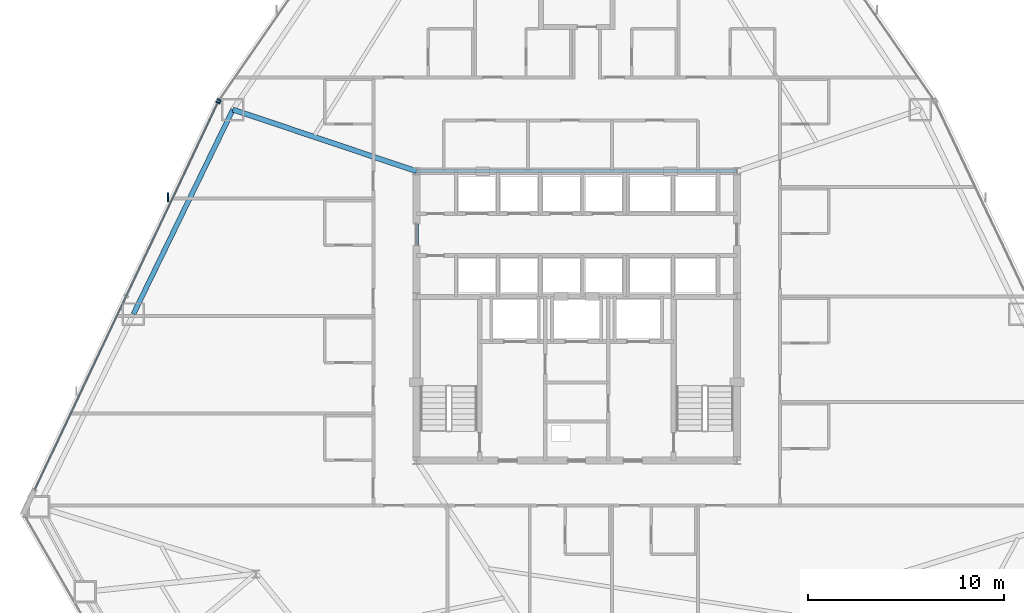
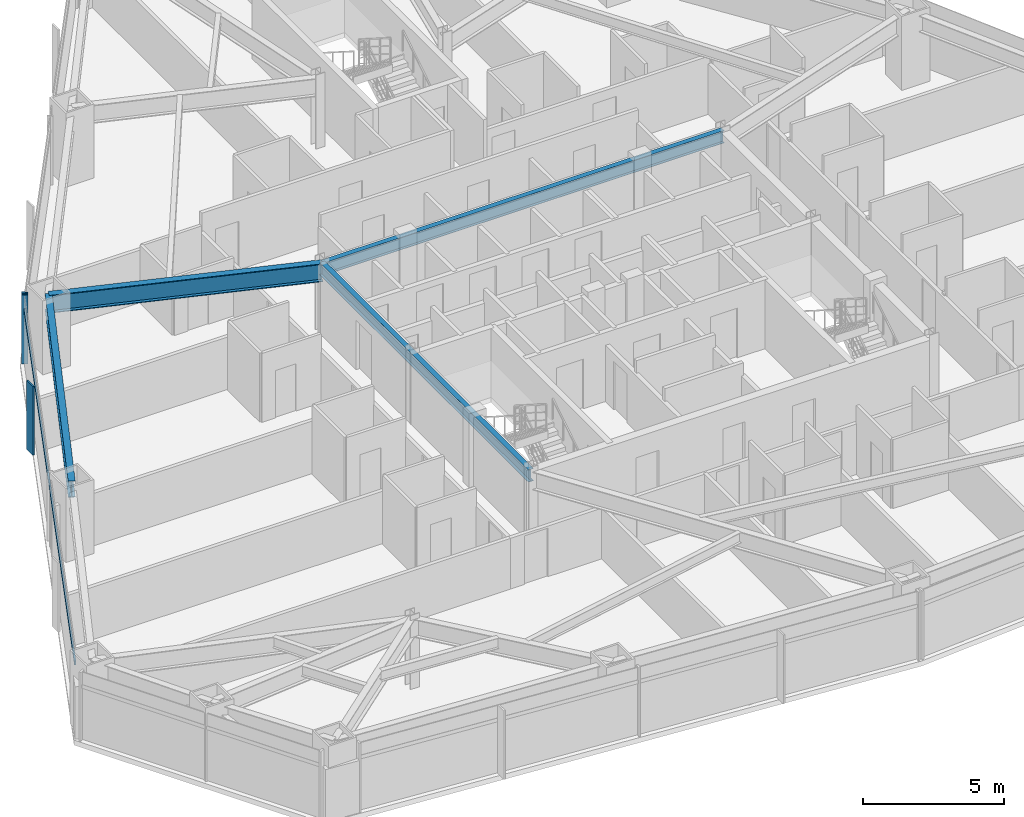
# One storey, part 5 of 13: 4 beams, 4 members, 2 elements without a shape of their own.
"""IFC4 building model written with IfcOpenShell, lengths in metres."""

from ifc_helpers import new_model, si_unit, direction, frame, origin, origin_2d, place, context, subcontext, project, spatial, rectangle, i_section, extrude, source, transform, mapped, material, layer, layer_set, material_profile, profile_set, type_object, type_shapes, element, aggregate, save


model = new_model("IFC4")

# Units and contexts
model_context = context("Model", 3, precision=1e-05, world=origin(), true_north=direction((0.0, 1.0)))
body_context = subcontext(model_context, "Body", "Model", "MODEL_VIEW")
ifc_project = project(units=[si_unit("LENGTHUNIT", "METRE"), si_unit("AREAUNIT", "SQUARE_METRE"), si_unit("VOLUMEUNIT", "CUBIC_METRE"), si_unit("PLANEANGLEUNIT", "RADIAN"), si_unit("MASSUNIT", "GRAM", prefix="KILO")], contexts=[model_context])

# Site, building, storey
site_placement = place(None, origin())
site = spatial("IfcSite", under=ifc_project, at=site_placement, CompositionType="ELEMENT")
building_placement = place(site_placement, origin())
building = spatial("IfcBuilding", under=site, at=building_placement, Name="Varakhsha Concourse Tower", CompositionType="ELEMENT")
storey_placement = place(building_placement, frame((0.0, 0.0, 52.800048828125)))
storey = spatial("IfcBuildingStorey", under=building, at=storey_placement, Name="L14", CompositionType="ELEMENT", Elevation=52.800048828125)

# Beams
ifc_material_1 = material(Name="Structural Steel ASTM A992 Grade 50", Category="steel")
ifc_material_profile_1 = material_profile(ifc_material_1, i_section(OverallWidth=0.26611328125, OverallDepth=0.779052734375, WebThickness=0.01708984375, FlangeThickness=0.030029296875, at=origin_2d()), Name="W30X148")
ifc_profile_set_1 = profile_set([ifc_material_profile_1], Name="Structural Steel ASTM A992 Grade 50")
beam_type_1 = type_object("IfcBeamType", Name="BM-BASE-W30X148", PredefinedType="USERDEFINED", material=ifc_profile_set_1)
beam_1_placement = place(storey_placement, frame((31.800048828125, 31.199951171875, 2.59033203125), z_axis=(-0.947972870005, 0.318351123345, 0.0), x_axis=(-0.318351123345, -0.947972870005, 0.0)))
element("IfcBeam", 1, at=beam_1_placement, inside=storey, type_object=beam_type_1, Name="L14 Radial Floor Girder 05", ObjectType="GIRDER", PredefinedType="USERDEFINED", context=body_context, shape_type="SweptSolid", body=[
    extrude(i_section(OverallWidth=0.26611328125, OverallDepth=0.779052734375, WebThickness=0.01708984375, FlangeThickness=0.030029296875, at=origin_2d()), origin(), (0.0, 0.0, 1.0), 9.89599609375),
])
ifc_material_profile_2 = material_profile(ifc_material_1, i_section(OverallWidth=0.2109375, OverallDepth=0.5390625, WebThickness=0.011962890625, FlangeThickness=0.01904296875, at=origin_2d()), Name="W21X73")
ifc_profile_set_2 = profile_set([ifc_material_profile_2], Name="Structural Steel ASTM A992 Grade 50")
beam_type_2 = type_object("IfcBeamType", Name="BM-RAD-W21X73", PredefinedType="BEAM", material=ifc_profile_set_2)
beam_2_placement = place(storey_placement, frame((31.800048828125, 31.199951171875, 2.71044921875), z_axis=(1.0, 0.0, 0.0), x_axis=(0.0, 1.0, 0.0)))
element("IfcBeam", 2, at=beam_2_placement, inside=storey, type_object=beam_type_2, Name="BM-TCORE-L14-CN", PredefinedType="BEAM", context=body_context, shape_type="SweptSolid", body=[
    extrude(i_section(OverallWidth=0.2109375, OverallDepth=0.5390625, WebThickness=0.011962890625, FlangeThickness=0.01904296875, at=origin_2d()), origin(), (0.0, 0.0, 1.0), 16.39990234375),
])
beam_3_placement = place(storey_placement, frame((31.800048828125, 16.39990234375, 2.71044921875), z_axis=(0.0, 1.0, 0.0), x_axis=(-1.0, 0.0, 0.0)))
element("IfcBeam", 3, at=beam_3_placement, inside=storey, type_object=beam_type_2, Name="BM-TCORE-L14-CW", PredefinedType="BEAM", context=body_context, shape_type="SweptSolid", body=[
    extrude(i_section(OverallWidth=0.2109375, OverallDepth=0.5390625, WebThickness=0.011962890625, FlangeThickness=0.01904296875, at=origin_2d()), origin(), (0.0, 0.0, 1.0), 14.800048828125),
])
ifc_material_profile_3 = material_profile(ifc_material_1, i_section(OverallWidth=0.25390625, OverallDepth=0.701904296875, WebThickness=0.014892578125, FlangeThickness=0.028076171875, at=origin_2d()), Name="W27X129")
ifc_profile_set_3 = profile_set([ifc_material_profile_3], Name="Structural Steel ASTM A992 Grade 50")
beam_type_3 = type_object("IfcBeamType", Name="BM-SPAN-W27X129", PredefinedType="SPANDREL", material=ifc_profile_set_3)
beam_4_placement = place(storey_placement, frame((22.4189453125, 34.350341796875, 2.62890625), z_axis=(-0.437581332588, -0.899178835032, 0.0), x_axis=(0.899178835032, -0.437581332588, 0.0)))
element("IfcBeam", 4, at=beam_4_placement, inside=storey, type_object=beam_type_3, Name="BM-SPAN-L14-05", PredefinedType="SPANDREL", context=body_context, shape_type="SweptSolid", body=[
    extrude(i_section(OverallWidth=0.25390625, OverallDepth=0.701904296875, WebThickness=0.014892578125, FlangeThickness=0.028076171875, at=origin_2d()), origin(), (0.0, 0.0, 1.0), 11.629638671875),
])

# Curtain wall, member
ifc_material_2 = material(Name="Anodised Bronze Architectural Aluminium AA 6063-T6", Category="aluminium")
ifc_layer = layer(ifc_material_2, 0.219970703125, Name="CW-SYS-02")
ifc_layer_set = layer_set([ifc_layer], Name="Anodised Bronze Architectural Aluminium AA 6063-T6")
curtain_wall_type = type_object("IfcCurtainWallType", Name="CW-SYS-02", PredefinedType="NOTDEFINED", material=ifc_layer_set)
curtain_wall_1_placement = place(storey_placement, origin())
curtain_wall_1 = element("IfcCurtainWall", 5, at=curtain_wall_1_placement, inside=storey, type_object=curtain_wall_type, Name="L14 Crystal Curtain Wall F2", PredefinedType="NOTDEFINED")
ifc_material_profile_4 = material_profile(ifc_material_2, rectangle(XDim=0.074951171875, YDim=0.219970703125, at=origin_2d()), Name="CWM-220X75")
ifc_profile_set_4 = profile_set([ifc_material_profile_4], Name="Anodised Bronze Architectural Aluminium AA 6063-T6")
member_type_1 = type_object("IfcMemberType", Name="CWM-220X75", PredefinedType="MULLION", material=ifc_profile_set_4)
shared_shape_1 = source(origin(), body_context, "Body", "SweptSolid", [
    extrude(rectangle(XDim=0.074951171875, YDim=0.219970703125, at=origin_2d()), origin(), (0.0, 0.0, 1.0), 2.97998046875),
])
type_shapes(member_type_1, [shared_shape_1])
member_1_placement = place(storey_placement, frame((21.719482421875, 34.8310546875, 0.0), z_axis=(0.0, 0.0, 1.0), x_axis=(0.569057091236, 0.822298015877, 0.0)))
member_1 = element("IfcMember", 6, at=member_1_placement, type_object=member_type_1, Name="CW-L14-F2 Mullion 00", PredefinedType="MULLION", context=body_context, shape_type="MappedRepresentation", body=[
    mapped(shared_shape_1, transform((0.0, 0.0, 0.0), scale=1.0)),
])
aggregate(curtain_wall_1, [member_1])

# Curtain wall, members
curtain_wall_2_placement = place(storey_placement, origin())
curtain_wall_2 = element("IfcCurtainWall", 7, at=curtain_wall_2_placement, inside=storey, type_object=curtain_wall_type, Name="L14 Crystal Curtain Wall F3", PredefinedType="NOTDEFINED")
member_2_placement = place(storey_placement, frame((21.65283203125, 34.7158203125, 0.0), z_axis=(0.0, 0.0, 1.0), x_axis=(0.427604003332, 0.903966158844, 0.0)))
member_2 = element("IfcMember", 8, at=member_2_placement, type_object=member_type_1, Name="CW-L14-F3 Mullion 02", PredefinedType="MULLION", context=body_context, shape_type="MappedRepresentation", body=[
    mapped(shared_shape_1, transform((0.0, 0.0, 0.0), scale=1.0)),
])
ifc_material_profile_5 = material_profile(ifc_material_2, rectangle(XDim=0.06494140625, YDim=0.449951171875, at=origin_2d()), Name="FIN-BRZ-450")
ifc_profile_set_5 = profile_set([ifc_material_profile_5], Name="Anodised Bronze Architectural Aluminium AA 6063-T6")
member_type_2 = type_object("IfcMemberType", Name="FIN-BRZ-450", PredefinedType="USERDEFINED", material=ifc_profile_set_5)
shared_shape_2 = source(origin(), body_context, "Body", "SweptSolid", [
    extrude(rectangle(XDim=0.06494140625, YDim=0.449951171875, at=origin_2d()), origin(), (0.0, 0.0, 1.0), 2.97998046875),
])
type_shapes(member_type_2, [shared_shape_2])
member_3_placement = place(storey_placement, frame((19.09228515625, 29.864013671875, 0.0), z_axis=(0.0, 0.0, 1.0), x_axis=(1.0, 0.0, 0.0)))
member_3 = element("IfcMember", 9, at=member_3_placement, type_object=member_type_2, Name="L14 Anodised Bronze Solar Fin F3-2", ObjectType="SOLAR FIN", PredefinedType="USERDEFINED", context=body_context, shape_type="MappedRepresentation", body=[
    mapped(shared_shape_2, transform((0.0, 0.0, 0.0), scale=1.0)),
])
ifc_material_profile_6 = material_profile(ifc_material_2, rectangle(XDim=0.06494140625, YDim=0.159912109375, at=origin_2d()), Name="CWT-160X65")
ifc_profile_set_6 = profile_set([ifc_material_profile_6], Name="Anodised Bronze Architectural Aluminium AA 6063-T6")
member_type_3 = type_object("IfcMemberType", Name="CWT-160X65", PredefinedType="USERDEFINED", material=ifc_profile_set_6)
shared_shape_3 = source(origin(), body_context, "Body", "SweptSolid", [
    extrude(rectangle(XDim=0.06494140625, YDim=0.159912109375, at=origin_2d()), origin(), (0.0, 0.0, 1.0), 21.9228515625),
])
type_shapes(member_type_3, [shared_shape_3])
member_4_placement = place(storey_placement, frame((12.278564453125, 14.898193359375, 2.329833984375), z_axis=(0.427600870916, 0.903967640567, 0.0), x_axis=(-0.903967640567, 0.427600870916, 0.0)))
member_4 = element("IfcMember", 10, at=member_4_placement, type_object=member_type_3, Name="CW-L14-F3 Transom 01", ObjectType="TRANSOM", PredefinedType="USERDEFINED", context=body_context, shape_type="MappedRepresentation", body=[
    mapped(shared_shape_3, transform((0.0, 0.0, 0.0), scale=1.0)),
])
aggregate(curtain_wall_2, [member_2, member_4, member_3])

save(model, "model.ifc")
